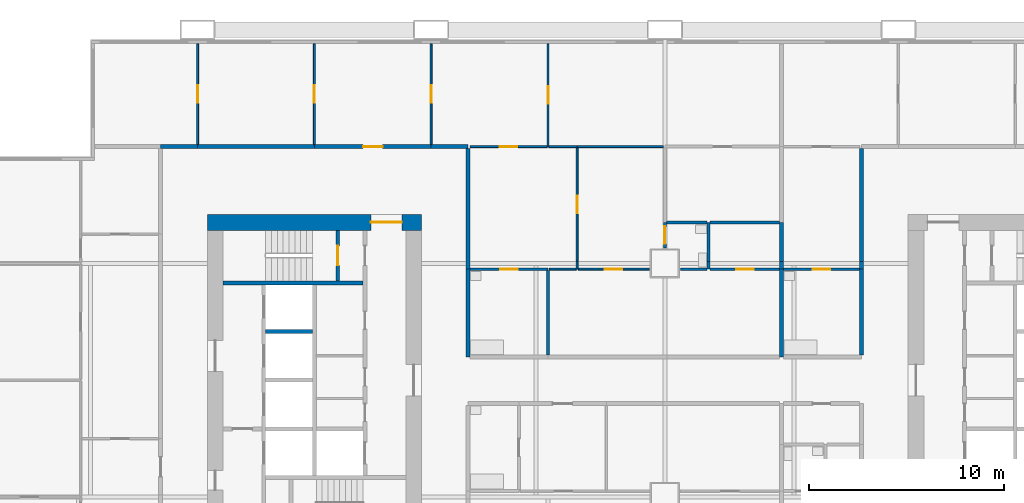
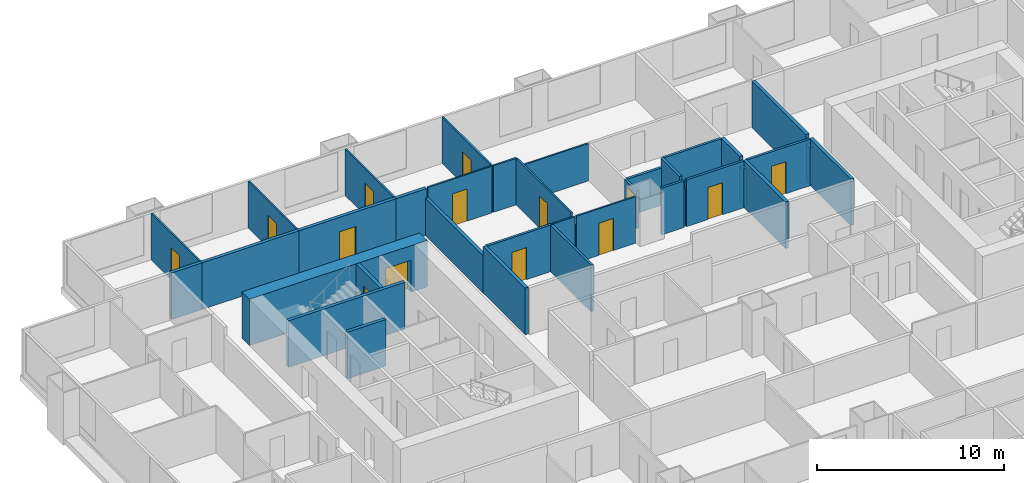
# One storey, part 8 of 13: 37 walls, 14 doors, 14 openings.
"""IFC4 building model written with IfcOpenShell, lengths in metres."""

from ifc_helpers import new_model, si_unit, direction, frame, frame_2d, origin, place, context, subcontext, project, spatial, rectangle, extrude, material, layer, layer_set, type_object, element, fill, save


model = new_model("IFC4")

# Units and contexts
model_context = context("Model", 3, precision=1e-05, world=origin(), true_north=direction((0.0, 1.0)))
body_context = subcontext(model_context, "Body", "Model", "MODEL_VIEW")
ifc_project = project(units=[si_unit("LENGTHUNIT", "METRE"), si_unit("AREAUNIT", "SQUARE_METRE"), si_unit("VOLUMEUNIT", "CUBIC_METRE"), si_unit("PLANEANGLEUNIT", "RADIAN"), si_unit("MASSUNIT", "GRAM", prefix="KILO")], contexts=[model_context])

# Site, building, storey
site_placement = place(None, origin())
site = spatial("IfcSite", under=ifc_project, at=site_placement, CompositionType="ELEMENT")
building_placement = place(site_placement, origin())
building = spatial("IfcBuilding", under=site, at=building_placement, Name="Kitamizu Gate Tower and Museum", CompositionType="ELEMENT")
storey_placement = place(building_placement, frame((0.0, 0.0, 57.60009765625)))
storey = spatial("IfcBuildingStorey", under=building, at=storey_placement, Name="L13", CompositionType="ELEMENT", Elevation=57.60009765625)

# Wall, opening, door
ifc_material_1 = material(Name="Concrete Fc60", Category="concrete")
ifc_layer_1 = layer(ifc_material_1, 0.800048828125)
ifc_layer_set_1 = layer_set([ifc_layer_1], Name="Concrete Fc60")
wall_type_1 = type_object("IfcWallType", Name="Core wall 800", PredefinedType="SHEAR", material=ifc_layer_set_1)
wall_1_placement = place(storey_placement, frame((12.5, 38.10009765625, 0.0), z_axis=(0.0, 0.0, 1.0), x_axis=(1.0, 0.0, 0.0)))
wall_1 = element("IfcWall", 1, at=wall_1_placement, inside=storey, type_object=wall_type_1, Name="Core wall WN", PredefinedType="SHEAR", context=body_context, shape_type="SweptSolid", body=[
    extrude(rectangle(XDim=11.0, YDim=0.800048828125, at=frame_2d((5.5, 0.0))), origin(), (0.0, 0.0, 1.0), 3.0498046875),
])
opening_1_placement = place(wall_1_placement, frame((8.39990234375, 0.0, 0.0)))
opening_1 = element("IfcOpeningElement", 2, at=opening_1_placement, cuts=wall_1, Name="Opening L13-083", PredefinedType="OPENING", context=body_context, shape_type="SweptSolid", body=[
    extrude(rectangle(XDim=1.60009765625, YDim=2.10009765625, at=frame_2d((0.800048828125, 1.050048828125))), frame((0.0, 0.41015625, 0.0), z_axis=(0.0, -1.0, 0.0), x_axis=(1.0, 0.0, 0.0)), (0.0, 0.0, 1.0), 0.820068359375),
])
ifc_material_2 = material(Name="Timber door set", Category="wood")
door_type_1 = type_object("IfcDoorType", Name="Entrance door 1600", OperationType="DOUBLE_DOOR_SINGLE_SWING", PredefinedType="DOOR", material=ifc_material_2)
door_1_placement = place(opening_1_placement, origin())
door_1 = element("IfcDoor", 3, at=door_1_placement, inside=storey, type_object=door_type_1, Name="Lobby door L13-083", OperationType="DOUBLE_DOOR_SINGLE_SWING", OverallHeight=2.10009765625, OverallWidth=1.60009765625, PredefinedType="DOOR", context=body_context, shape_type="SweptSolid", body=[
    extrude(rectangle(XDim=1.60009765625, YDim=2.10009765625, at=frame_2d((0.800048828125, 1.050048828125))), frame((0.0, 0.02490234375, 0.0), z_axis=(0.0, -1.0, 0.0), x_axis=(1.0, 0.0, 0.0)), (0.0, 0.0, 1.0), 0.050048828125),
])
fill(opening_1, door_1)

ifc_material_3 = material(Name="Gypsum board on galvanised stud")
ifc_layer_2 = layer(ifc_material_3, 0.10009765625)
ifc_layer_set_2 = layer_set([ifc_layer_2], Name="Gypsum board on galvanised stud")
wall_type_2 = type_object("IfcWallType", Name="Partition 100 NOT RATED", PredefinedType="PARTITIONING", material=ifc_layer_set_2)
wall_2_placement = place(storey_placement, frame((12.0, 42.10009765625, 0.0), z_axis=(0.0, 0.0, 1.0), x_axis=(0.0, 1.0, 0.0)))
wall_2 = element("IfcWall", 4, at=wall_2_placement, inside=storey, type_object=wall_type_2, Name="Partition L13-119", PredefinedType="PARTITIONING", context=body_context, shape_type="SweptSolid", body=[
    extrude(rectangle(XDim=5.179931640625, YDim=0.10009765625, at=frame_2d((2.58984375, 0.0))), origin(), (0.0, 0.0, 1.0), 3.0498046875),
])
opening_2_placement = place(wall_2_placement, frame((2.139892578125, 0.0, 0.0)))
opening_2 = element("IfcOpeningElement", 5, at=opening_2_placement, cuts=wall_2, Name="Opening L13-046", PredefinedType="OPENING", context=body_context, shape_type="SweptSolid", body=[
    extrude(rectangle(XDim=0.89990234375, YDim=2.10009765625, at=frame_2d((0.449951171875, 1.050048828125))), frame((0.0, 0.06005859375, 0.0), z_axis=(0.0, -1.0, 0.0), x_axis=(1.0, 0.0, 0.0)), (0.0, 0.0, 1.0), 0.1201171875),
])
ifc_material_4 = material(Name="Timber door set", Category="wood")
door_type_2 = type_object("IfcDoorType", Name="Room door 900", OperationType="NOTDEFINED", PredefinedType="DOOR", material=ifc_material_4)
door_2_placement = place(opening_2_placement, origin())
door_2 = element("IfcDoor", 6, at=door_2_placement, inside=storey, type_object=door_type_2, Name="Door L13-046", OperationType="SINGLE_SWING_LEFT", OverallHeight=2.10009765625, OverallWidth=0.89990234375, PredefinedType="DOOR", context=body_context, shape_type="SweptSolid", body=[
    extrude(rectangle(XDim=0.89990234375, YDim=2.10009765625, at=frame_2d((0.449951171875, 1.050048828125))), frame((0.0, 0.02490234375, 0.0), z_axis=(0.0, -1.0, 0.0), x_axis=(1.0, 0.0, 0.0)), (0.0, 0.0, 1.0), 0.050048828125),
])
fill(opening_2, door_2)

wall_3_placement = place(storey_placement, frame((18.0, 42.10009765625, 0.0), z_axis=(0.0, 0.0, 1.0), x_axis=(0.0, 1.0, 0.0)))
wall_3 = element("IfcWall", 7, at=wall_3_placement, inside=storey, type_object=wall_type_2, Name="Partition L13-122", PredefinedType="PARTITIONING", context=body_context, shape_type="SweptSolid", body=[
    extrude(rectangle(XDim=5.179931640625, YDim=0.10009765625, at=frame_2d((2.58984375, 0.0))), origin(), (0.0, 0.0, 1.0), 3.0498046875),
])
opening_3_placement = place(wall_3_placement, frame((2.139892578125, 0.0, 0.0)))
opening_3 = element("IfcOpeningElement", 8, at=opening_3_placement, cuts=wall_3, Name="Opening L13-044", PredefinedType="OPENING", context=body_context, shape_type="SweptSolid", body=[
    extrude(rectangle(XDim=0.89990234375, YDim=2.10009765625, at=frame_2d((0.449951171875, 1.050048828125))), frame((0.0, 0.06005859375, 0.0), z_axis=(0.0, -1.0, 0.0), x_axis=(1.0, 0.0, 0.0)), (0.0, 0.0, 1.0), 0.1201171875),
])
door_3_placement = place(opening_3_placement, origin())
door_3 = element("IfcDoor", 9, at=door_3_placement, inside=storey, type_object=door_type_2, Name="Door L13-044", OperationType="SINGLE_SWING_LEFT", OverallHeight=2.10009765625, OverallWidth=0.89990234375, PredefinedType="DOOR", context=body_context, shape_type="SweptSolid", body=[
    extrude(rectangle(XDim=0.89990234375, YDim=2.10009765625, at=frame_2d((0.449951171875, 1.050048828125))), frame((0.0, 0.02490234375, 0.0), z_axis=(0.0, -1.0, 0.0), x_axis=(1.0, 0.0, 0.0)), (0.0, 0.0, 1.0), 0.050048828125),
])
fill(opening_3, door_3)

wall_4_placement = place(storey_placement, frame((24.0, 42.10009765625, 0.0), z_axis=(0.0, 0.0, 1.0), x_axis=(0.0, 1.0, 0.0)))
wall_4 = element("IfcWall", 10, at=wall_4_placement, inside=storey, type_object=wall_type_2, Name="Partition L13-124", PredefinedType="PARTITIONING", context=body_context, shape_type="SweptSolid", body=[
    extrude(rectangle(XDim=5.179931640625, YDim=0.10009765625, at=frame_2d((2.58984375, 0.0))), origin(), (0.0, 0.0, 1.0), 3.0498046875),
])
opening_4_placement = place(wall_4_placement, frame((2.139892578125, 0.0, 0.0)))
opening_4 = element("IfcOpeningElement", 11, at=opening_4_placement, cuts=wall_4, Name="Opening L13-045", PredefinedType="OPENING", context=body_context, shape_type="SweptSolid", body=[
    extrude(rectangle(XDim=0.89990234375, YDim=2.10009765625, at=frame_2d((0.449951171875, 1.050048828125))), frame((0.0, 0.06005859375, 0.0), z_axis=(0.0, -1.0, 0.0), x_axis=(1.0, 0.0, 0.0)), (0.0, 0.0, 1.0), 0.1201171875),
])
door_4_placement = place(opening_4_placement, frame((0.89990234375, 0.0, 0.0), x_axis=(-1.0, 0.0, 0.0)))
door_4 = element("IfcDoor", 12, at=door_4_placement, inside=storey, type_object=door_type_2, Name="Door L13-045", OperationType="SINGLE_SWING_LEFT", OverallHeight=2.10009765625, OverallWidth=0.89990234375, PredefinedType="DOOR", context=body_context, shape_type="SweptSolid", body=[
    extrude(rectangle(XDim=0.89990234375, YDim=2.10009765625, at=frame_2d((0.449951171875, 1.050048828125))), frame((0.0, 0.02490234375, 0.0), z_axis=(0.0, -1.0, 0.0), x_axis=(1.0, 0.0, 0.0)), (0.0, 0.0, 1.0), 0.050048828125),
])
fill(opening_4, door_4)

wall_5_placement = place(storey_placement, frame((30.0, 42.0, 0.0), z_axis=(0.0, 0.0, 1.0), x_axis=(0.0, 1.0, 0.0)))
wall_5 = element("IfcWall", 13, at=wall_5_placement, inside=storey, type_object=wall_type_2, Name="Partition L13-126", PredefinedType="PARTITIONING", context=body_context, shape_type="SweptSolid", body=[
    extrude(rectangle(XDim=5.280029296875, YDim=0.10009765625, at=frame_2d((2.64013671875, 0.0))), origin(), (0.0, 0.0, 1.0), 3.0498046875),
])
opening_5_placement = place(wall_5_placement, frame((2.18994140625, 0.0, 0.0)))
opening_5 = element("IfcOpeningElement", 14, at=opening_5_placement, cuts=wall_5, Name="Opening L13-047", PredefinedType="OPENING", context=body_context, shape_type="SweptSolid", body=[
    extrude(rectangle(XDim=0.89990234375, YDim=2.10009765625, at=frame_2d((0.449951171875, 1.050048828125))), frame((0.0, 0.06005859375, 0.0), z_axis=(0.0, -1.0, 0.0), x_axis=(1.0, 0.0, 0.0)), (0.0, 0.0, 1.0), 0.1201171875),
])
door_5_placement = place(opening_5_placement, origin())
door_5 = element("IfcDoor", 15, at=door_5_placement, inside=storey, type_object=door_type_2, Name="Door L13-047", OperationType="SINGLE_SWING_RIGHT", OverallHeight=2.10009765625, OverallWidth=0.89990234375, PredefinedType="DOOR", context=body_context, shape_type="SweptSolid", body=[
    extrude(rectangle(XDim=0.89990234375, YDim=2.10009765625, at=frame_2d((0.449951171875, 1.050048828125))), frame((0.0, 0.02490234375, 0.0), z_axis=(0.0, -1.0, 0.0), x_axis=(1.0, 0.0, 0.0)), (0.0, 0.0, 1.0), 0.050048828125),
])
fill(opening_5, door_5)

wall_6_placement = place(storey_placement, frame((26.0, 42.0, 0.0), z_axis=(0.0, 0.0, 1.0), x_axis=(1.0, 0.0, 0.0)))
wall_6 = element("IfcWall", 16, at=wall_6_placement, inside=storey, type_object=wall_type_2, Name="Partition L13-127", PredefinedType="PARTITIONING", context=body_context, shape_type="SweptSolid", body=[
    extrude(rectangle(XDim=3.949951171875, YDim=0.10009765625, at=frame_2d((1.97509765625, 0.0))), origin(), (0.0, 0.0, 1.0), 3.0498046875),
])
opening_6_placement = place(wall_6_placement, frame((1.52490234375, 0.0, 0.0)))
opening_6 = element("IfcOpeningElement", 17, at=opening_6_placement, cuts=wall_6, Name="Opening L13-048", PredefinedType="OPENING", context=body_context, shape_type="SweptSolid", body=[
    extrude(rectangle(XDim=0.89990234375, YDim=2.10009765625, at=frame_2d((0.449951171875, 1.050048828125))), frame((0.0, 0.06005859375, 0.0), z_axis=(0.0, -1.0, 0.0), x_axis=(1.0, 0.0, 0.0)), (0.0, 0.0, 1.0), 0.1201171875),
])
door_6_placement = place(opening_6_placement, origin())
door_6 = element("IfcDoor", 18, at=door_6_placement, inside=storey, type_object=door_type_2, Name="Door L13-048", OperationType="SINGLE_SWING_LEFT", OverallHeight=2.10009765625, OverallWidth=0.89990234375, PredefinedType="DOOR", context=body_context, shape_type="SweptSolid", body=[
    extrude(rectangle(XDim=0.89990234375, YDim=2.10009765625, at=frame_2d((0.449951171875, 1.050048828125))), frame((0.0, 0.02490234375, 0.0), z_axis=(0.0, -1.0, 0.0), x_axis=(1.0, 0.0, 0.0)), (0.0, 0.0, 1.0), 0.050048828125),
])
fill(opening_6, door_6)

# Walls
wall_7_placement = place(storey_placement, frame((30.050048828125, 42.0, 0.0), z_axis=(0.0, 0.0, 1.0), x_axis=(1.0, 0.0, 0.0)))
element("IfcWall", 19, at=wall_7_placement, inside=storey, type_object=wall_type_2, Name="Partition L13-129", PredefinedType="PARTITIONING", context=body_context, shape_type="SweptSolid", body=[
    extrude(rectangle(XDim=1.449951171875, YDim=0.10009765625, at=frame_2d((0.72509765625, 0.0))), origin(), (0.0, 0.0, 1.0), 3.0498046875),
])
wall_8_placement = place(storey_placement, frame((31.5, 42.0, 0.0), z_axis=(0.0, 0.0, 1.0), x_axis=(1.0, 0.0, 0.0)))
element("IfcWall", 20, at=wall_8_placement, inside=storey, type_object=wall_type_2, Name="Partition L13-130", PredefinedType="PARTITIONING", context=body_context, shape_type="SweptSolid", body=[
    extrude(rectangle(XDim=4.425048828125, YDim=0.10009765625, at=frame_2d((2.21240234375, 0.0))), origin(), (0.0, 0.0, 1.0), 2.449951171875),
])
wall_9_placement = place(storey_placement, frame((31.5, 35.699951171875, 0.0), z_axis=(0.0, 0.0, 1.0), x_axis=(0.0, 1.0, 0.0)))
element("IfcWall", 21, at=wall_9_placement, inside=storey, type_object=wall_type_2, Name="Partition L13-133", PredefinedType="PARTITIONING", context=body_context, shape_type="SweptSolid", body=[
    extrude(rectangle(XDim=0.400146484375, YDim=0.10009765625, at=frame_2d((0.2001953125, 0.0))), origin(), (0.0, 0.0, 1.0), 2.449951171875),
])

# Wall, opening, door
wall_10_placement = place(storey_placement, frame((31.5, 36.10009765625, 0.0), z_axis=(0.0, 0.0, 1.0), x_axis=(0.0, 1.0, 0.0)))
wall_10 = element("IfcWall", 22, at=wall_10_placement, inside=storey, type_object=wall_type_2, Name="Partition L13-134", PredefinedType="PARTITIONING", context=body_context, shape_type="SweptSolid", body=[
    extrude(rectangle(XDim=5.849853515625, YDim=0.10009765625, at=frame_2d((2.9248046875, 0.0))), origin(), (0.0, 0.0, 1.0), 3.0498046875),
])
opening_7_placement = place(wall_10_placement, frame((2.47509765625, 0.0, 0.0)))
opening_7 = element("IfcOpeningElement", 23, at=opening_7_placement, cuts=wall_10, Name="Opening L13-049", PredefinedType="OPENING", context=body_context, shape_type="SweptSolid", body=[
    extrude(rectangle(XDim=0.89990234375, YDim=2.10009765625, at=frame_2d((0.449951171875, 1.050048828125))), frame((0.0, 0.06005859375, 0.0), z_axis=(0.0, -1.0, 0.0), x_axis=(1.0, 0.0, 0.0)), (0.0, 0.0, 1.0), 0.1201171875),
])
door_7_placement = place(opening_7_placement, frame((0.89990234375, 0.0, 0.0), x_axis=(-1.0, 0.0, 0.0)))
door_7 = element("IfcDoor", 24, at=door_7_placement, inside=storey, type_object=door_type_2, Name="Door L13-049", OperationType="SINGLE_SWING_LEFT", OverallHeight=2.10009765625, OverallWidth=0.89990234375, PredefinedType="DOOR", context=body_context, shape_type="SweptSolid", body=[
    extrude(rectangle(XDim=0.89990234375, YDim=2.10009765625, at=frame_2d((0.449951171875, 1.050048828125))), frame((0.0, 0.02490234375, 0.0), z_axis=(0.0, -1.0, 0.0), x_axis=(1.0, 0.0, 0.0)), (0.0, 0.0, 1.0), 0.050048828125),
])
fill(opening_7, door_7)

# Wall
wall_11_placement = place(storey_placement, frame((30.074951171875, 35.699951171875, 0.0), z_axis=(0.0, 0.0, 1.0), x_axis=(1.0, 0.0, 0.0)))
element("IfcWall", 25, at=wall_11_placement, inside=storey, type_object=wall_type_2, Name="Partition L13-136", PredefinedType="PARTITIONING", context=body_context, shape_type="SweptSolid", body=[
    extrude(rectangle(XDim=1.375, YDim=0.10009765625, at=frame_2d((0.6875, 0.0))), origin(), (0.0, 0.0, 1.0), 3.0498046875),
])

# Wall, opening, door
wall_12_placement = place(storey_placement, frame((31.550048828125, 35.699951171875, 0.0), z_axis=(0.0, 0.0, 1.0), x_axis=(1.0, 0.0, 0.0)))
wall_12 = element("IfcWall", 26, at=wall_12_placement, inside=storey, type_object=wall_type_2, Name="Partition L13-140", PredefinedType="PARTITIONING", context=body_context, shape_type="SweptSolid", body=[
    extrude(rectangle(XDim=3.64990234375, YDim=0.10009765625, at=frame_2d((1.824951171875, 0.0))), origin(), (0.0, 0.0, 1.0), 3.0498046875),
])
opening_8_placement = place(wall_12_placement, frame((1.375, 0.0, 0.0)))
opening_8 = element("IfcOpeningElement", 27, at=opening_8_placement, cuts=wall_12, Name="Opening L13-053", PredefinedType="OPENING", context=body_context, shape_type="SweptSolid", body=[
    extrude(rectangle(XDim=0.89990234375, YDim=2.10009765625, at=frame_2d((0.449951171875, 1.050048828125))), frame((0.0, 0.06005859375, 0.0), z_axis=(0.0, -1.0, 0.0), x_axis=(1.0, 0.0, 0.0)), (0.0, 0.0, 1.0), 0.1201171875),
])
door_8_placement = place(opening_8_placement, origin())
door_8 = element("IfcDoor", 28, at=door_8_placement, inside=storey, type_object=door_type_2, Name="Door L13-053", OperationType="SINGLE_SWING_RIGHT", OverallHeight=2.10009765625, OverallWidth=0.89990234375, PredefinedType="DOOR", context=body_context, shape_type="SweptSolid", body=[
    extrude(rectangle(XDim=0.89990234375, YDim=2.10009765625, at=frame_2d((0.449951171875, 1.050048828125))), frame((0.0, 0.02490234375, 0.0), z_axis=(0.0, -1.0, 0.0), x_axis=(1.0, 0.0, 0.0)), (0.0, 0.0, 1.0), 0.050048828125),
])
fill(opening_8, door_8)

ifc_material_5 = material(Name="Gypsum board on galvanised stud")
ifc_layer_3 = layer(ifc_material_5, 0.14990234375)
ifc_layer_set_3 = layer_set([ifc_layer_3], Name="Gypsum board on galvanised stud")
wall_type_3 = type_object("IfcWallType", Name="Partition 150", PredefinedType="PARTITIONING", material=ifc_layer_set_3)
wall_13_placement = place(storey_placement, frame((26.0, 35.699951171875, 0.0), z_axis=(0.0, 0.0, 1.0), x_axis=(1.0, 0.0, 0.0)))
wall_13 = element("IfcWall", 29, at=wall_13_placement, inside=storey, type_object=wall_type_3, Name="Partition L13-135", PredefinedType="PARTITIONING", context=body_context, shape_type="SweptSolid", body=[
    extrude(rectangle(XDim=4.0, YDim=0.14990234375, at=frame_2d((2.0, 0.0))), origin(), (0.0, 0.0, 1.0), 3.0498046875),
])
opening_9_placement = place(wall_13_placement, frame((1.550048828125, 0.0, 0.0)))
opening_9 = element("IfcOpeningElement", 30, at=opening_9_placement, cuts=wall_13, Name="Opening L13-052", PredefinedType="OPENING", context=body_context, shape_type="SweptSolid", body=[
    extrude(rectangle(XDim=0.89990234375, YDim=2.10009765625, at=frame_2d((0.449951171875, 1.050048828125))), frame((0.0, 0.0849609375, 0.0), z_axis=(0.0, -1.0, 0.0), x_axis=(1.0, 0.0, 0.0)), (0.0, 0.0, 1.0), 0.169921875),
])
ifc_material_6 = material(Name="Timber door set", Category="wood")
door_type_3 = type_object("IfcDoorType", Name="Bathroom door 900", OperationType="NOTDEFINED", PredefinedType="DOOR", material=ifc_material_6)
door_9_placement = place(opening_9_placement, frame((0.89990234375, 0.0, 0.0), x_axis=(-1.0, 0.0, 0.0)))
door_9 = element("IfcDoor", 31, at=door_9_placement, inside=storey, type_object=door_type_3, Name="Bathroom door L13-052", OperationType="SINGLE_SWING_RIGHT", OverallHeight=2.10009765625, OverallWidth=0.89990234375, PredefinedType="DOOR", context=body_context, shape_type="SweptSolid", body=[
    extrude(rectangle(XDim=0.89990234375, YDim=2.10009765625, at=frame_2d((0.449951171875, 1.050048828125))), frame((0.0, 0.02490234375, 0.0), z_axis=(0.0, -1.0, 0.0), x_axis=(1.0, 0.0, 0.0)), (0.0, 0.0, 1.0), 0.050048828125),
])
fill(opening_9, door_9)

wall_14_placement = place(storey_placement, frame((36.0, 36.800048828125, 0.0), z_axis=(0.0, 0.0, 1.0), x_axis=(0.0, 1.0, 0.0)))
wall_14 = element("IfcWall", 32, at=wall_14_placement, inside=storey, type_object=wall_type_3, Name="Partition L13-138", PredefinedType="PARTITIONING", context=body_context, shape_type="SweptSolid", body=[
    extrude(rectangle(XDim=1.300048828125, YDim=0.14990234375, at=frame_2d((0.64990234375, 0.0))), origin(), (0.0, 0.0, 1.0), 2.449951171875),
])
opening_10_placement = place(wall_14_placement, frame((0.199951171875, 0.0, 0.0)))
opening_10 = element("IfcOpeningElement", 33, at=opening_10_placement, cuts=wall_14, Name="Opening L13-050", PredefinedType="OPENING", context=body_context, shape_type="SweptSolid", body=[
    extrude(rectangle(XDim=0.89990234375, YDim=2.10009765625, at=frame_2d((0.449951171875, 1.050048828125))), frame((0.0, 0.0849609375, 0.0), z_axis=(0.0, -1.0, 0.0), x_axis=(1.0, 0.0, 0.0)), (0.0, 0.0, 1.0), 0.169921875),
])
door_10_placement = place(opening_10_placement, frame((0.89990234375, 0.0, 0.0), x_axis=(-1.0, 0.0, 0.0)))
door_10 = element("IfcDoor", 34, at=door_10_placement, inside=storey, type_object=door_type_3, Name="Bathroom door L13-050", OperationType="SINGLE_SWING_RIGHT", OverallHeight=2.10009765625, OverallWidth=0.89990234375, PredefinedType="DOOR", context=body_context, shape_type="SweptSolid", body=[
    extrude(rectangle(XDim=0.89990234375, YDim=2.10009765625, at=frame_2d((0.449951171875, 1.050048828125))), frame((0.0, 0.02490234375, 0.0), z_axis=(0.0, -1.0, 0.0), x_axis=(1.0, 0.0, 0.0)), (0.0, 0.0, 1.0), 0.050048828125),
])
fill(opening_10, door_10)

# Walls
wall_15_placement = place(storey_placement, frame((38.25, 35.699951171875, 0.0), z_axis=(0.0, 0.0, 1.0), x_axis=(0.0, 1.0, 0.0)))
element("IfcWall", 35, at=wall_15_placement, inside=storey, type_object=wall_type_3, Name="Partition L13-141", PredefinedType="PARTITIONING", context=body_context, shape_type="SweptSolid", body=[
    extrude(rectangle(XDim=0.400146484375, YDim=0.14990234375, at=frame_2d((0.2001953125, 0.0))), origin(), (0.0, 0.0, 1.0), 2.449951171875),
])
wall_16_placement = place(storey_placement, frame((38.25, 36.10009765625, 0.0), z_axis=(0.0, 0.0, 1.0), x_axis=(0.0, 1.0, 0.0)))
element("IfcWall", 36, at=wall_16_placement, inside=storey, type_object=wall_type_3, Name="Partition L13-142", PredefinedType="PARTITIONING", context=body_context, shape_type="SweptSolid", body=[
    extrude(rectangle(XDim=2.0, YDim=0.14990234375, at=frame_2d((1.0, 0.0))), origin(), (0.0, 0.0, 1.0), 3.0498046875),
])
wall_17_placement = place(storey_placement, frame((38.175048828125, 38.10009765625, 0.0), z_axis=(0.0, 0.0, 1.0), x_axis=(-1.0, 0.0, 0.0)))
element("IfcWall", 37, at=wall_17_placement, inside=storey, type_object=wall_type_3, Name="Partition L13-143", PredefinedType="PARTITIONING", context=body_context, shape_type="SweptSolid", body=[
    extrude(rectangle(XDim=2.10009765625, YDim=0.14990234375, at=frame_2d((1.050048828125, 0.0))), origin(), (0.0, 0.0, 1.0), 2.449951171875),
])
wall_18_placement = place(storey_placement, frame((36.800048828125, 35.699951171875, 0.0), z_axis=(0.0, 0.0, 1.0), x_axis=(1.0, 0.0, 0.0)))
element("IfcWall", 38, at=wall_18_placement, inside=storey, type_object=wall_type_3, Name="Partition L13-144", PredefinedType="PARTITIONING", context=body_context, shape_type="SweptSolid", body=[
    extrude(rectangle(XDim=1.375, YDim=0.14990234375, at=frame_2d((0.6875, 0.0))), origin(), (0.0, 0.0, 1.0), 3.0498046875),
])
wall_19_placement = place(storey_placement, frame((41.89990234375, 38.10009765625, 0.0), z_axis=(0.0, 0.0, 1.0), x_axis=(-1.0, 0.0, 0.0)))
element("IfcWall", 39, at=wall_19_placement, inside=storey, type_object=wall_type_3, Name="Partition L13-145", PredefinedType="PARTITIONING", context=body_context, shape_type="SweptSolid", body=[
    extrude(rectangle(XDim=3.574951171875, YDim=0.14990234375, at=frame_2d((1.78759765625, 0.0))), origin(), (0.0, 0.0, 1.0), 3.0498046875),
])

# Wall, opening, door
wall_20_placement = place(storey_placement, frame((38.324951171875, 35.699951171875, 0.0), z_axis=(0.0, 0.0, 1.0), x_axis=(1.0, 0.0, 0.0)))
wall_20 = element("IfcWall", 40, at=wall_20_placement, inside=storey, type_object=wall_type_3, Name="Partition L13-146", PredefinedType="PARTITIONING", context=body_context, shape_type="SweptSolid", body=[
    extrude(rectangle(XDim=3.574951171875, YDim=0.14990234375, at=frame_2d((1.78759765625, 0.0))), origin(), (0.0, 0.0, 1.0), 3.0498046875),
])
opening_11_placement = place(wall_20_placement, frame((1.33740234375, 0.0, 0.0)))
opening_11 = element("IfcOpeningElement", 41, at=opening_11_placement, cuts=wall_20, Name="Opening L13-054", PredefinedType="OPENING", context=body_context, shape_type="SweptSolid", body=[
    extrude(rectangle(XDim=0.89990234375, YDim=2.10009765625, at=frame_2d((0.449951171875, 1.050048828125))), frame((0.0, 0.0849609375, 0.0), z_axis=(0.0, -1.0, 0.0), x_axis=(1.0, 0.0, 0.0)), (0.0, 0.0, 1.0), 0.169921875),
])
door_11_placement = place(opening_11_placement, origin())
door_11 = element("IfcDoor", 42, at=door_11_placement, inside=storey, type_object=door_type_3, Name="Bathroom door L13-054", OperationType="SINGLE_SWING_LEFT", OverallHeight=2.10009765625, OverallWidth=0.89990234375, PredefinedType="DOOR", context=body_context, shape_type="SweptSolid", body=[
    extrude(rectangle(XDim=0.89990234375, YDim=2.10009765625, at=frame_2d((0.449951171875, 1.050048828125))), frame((0.0, 0.02490234375, 0.0), z_axis=(0.0, -1.0, 0.0), x_axis=(1.0, 0.0, 0.0)), (0.0, 0.0, 1.0), 0.050048828125),
])
fill(opening_11, door_11)

# Wall
wall_21_placement = place(storey_placement, frame((30.0, 31.300048828125, 0.0), z_axis=(0.0, 0.0, 1.0), x_axis=(0.0, 1.0, 0.0)))
element("IfcWall", 43, at=wall_21_placement, inside=storey, type_object=wall_type_3, Name="Partition L13-150", PredefinedType="PARTITIONING", context=body_context, shape_type="SweptSolid", body=[
    extrude(rectangle(XDim=4.324951171875, YDim=0.14990234375, at=frame_2d((2.16259765625, 0.0))), origin(), (0.0, 0.0, 1.0), 3.0498046875),
])

# Wall, opening, door
wall_22_placement = place(storey_placement, frame((42.10009765625, 35.699951171875, 0.0), z_axis=(0.0, 0.0, 1.0), x_axis=(1.0, 0.0, 0.0)))
wall_22 = element("IfcWall", 44, at=wall_22_placement, inside=storey, type_object=wall_type_3, Name="Partition L13-184", PredefinedType="PARTITIONING", context=body_context, shape_type="SweptSolid", body=[
    extrude(rectangle(XDim=3.89990234375, YDim=0.14990234375, at=frame_2d((1.949951171875, 0.0))), origin(), (0.0, 0.0, 1.0), 3.0498046875),
])
opening_12_placement = place(wall_22_placement, frame((1.5, 0.0, 0.0)))
opening_12 = element("IfcOpeningElement", 45, at=opening_12_placement, cuts=wall_22, Name="Opening L13-068", PredefinedType="OPENING", context=body_context, shape_type="SweptSolid", body=[
    extrude(rectangle(XDim=0.89990234375, YDim=2.10009765625, at=frame_2d((0.449951171875, 1.050048828125))), frame((0.0, 0.0849609375, 0.0), z_axis=(0.0, -1.0, 0.0), x_axis=(1.0, 0.0, 0.0)), (0.0, 0.0, 1.0), 0.169921875),
])
door_12_placement = place(opening_12_placement, frame((0.89990234375, 0.0, 0.0), x_axis=(-1.0, 0.0, 0.0)))
door_12 = element("IfcDoor", 46, at=door_12_placement, inside=storey, type_object=door_type_3, Name="Bathroom door L13-068", OperationType="SINGLE_SWING_LEFT", OverallHeight=2.10009765625, OverallWidth=0.89990234375, PredefinedType="DOOR", context=body_context, shape_type="SweptSolid", body=[
    extrude(rectangle(XDim=0.89990234375, YDim=2.10009765625, at=frame_2d((0.449951171875, 1.050048828125))), frame((0.0, 0.02490234375, 0.0), z_axis=(0.0, -1.0, 0.0), x_axis=(1.0, 0.0, 0.0)), (0.0, 0.0, 1.0), 0.050048828125),
])
fill(opening_12, door_12)

# Walls
ifc_material_7 = material(Name="Gypsum board on galvanised stud")
ifc_layer_4 = layer(ifc_material_7, 0.199951171875)
ifc_layer_set_4 = layer_set([ifc_layer_4], Name="Gypsum board on galvanised stud")
wall_type_4 = type_object("IfcWallType", Name="Partition 200", PredefinedType="PARTITIONING", material=ifc_layer_set_4)
wall_23_placement = place(storey_placement, frame((10.10009765625, 42.0, 0.0), z_axis=(0.0, 0.0, 1.0), x_axis=(1.0, 0.0, 0.0)))
element("IfcWall", 47, at=wall_23_placement, inside=storey, type_object=wall_type_4, Name="Partition L13-121", PredefinedType="PARTITIONING", context=body_context, shape_type="SweptSolid", body=[
    extrude(rectangle(XDim=1.89990234375, YDim=0.199951171875, at=frame_2d((0.949951171875, 0.0))), origin(), (0.0, 0.0, 1.0), 3.0498046875),
])
wall_24_placement = place(storey_placement, frame((12.0, 42.0, 0.0), z_axis=(0.0, 0.0, 1.0), x_axis=(1.0, 0.0, 0.0)))
element("IfcWall", 48, at=wall_24_placement, inside=storey, type_object=wall_type_4, Name="Partition L13-123", PredefinedType="PARTITIONING", context=body_context, shape_type="SweptSolid", body=[
    extrude(rectangle(XDim=6.0, YDim=0.199951171875, at=frame_2d((3.0, 0.0))), origin(), (0.0, 0.0, 1.0), 3.0498046875),
])

# Wall, opening, door
wall_25_placement = place(storey_placement, frame((18.0, 42.0, 0.0), z_axis=(0.0, 0.0, 1.0), x_axis=(1.0, 0.0, 0.0)))
wall_25 = element("IfcWall", 49, at=wall_25_placement, inside=storey, type_object=wall_type_4, Name="Partition L13-125", PredefinedType="PARTITIONING", context=body_context, shape_type="SweptSolid", body=[
    extrude(rectangle(XDim=6.0, YDim=0.199951171875, at=frame_2d((3.0, 0.0))), origin(), (0.0, 0.0, 1.0), 3.0498046875),
])
opening_13_placement = place(wall_25_placement, frame((2.5, 0.0, 0.0)))
opening_13 = element("IfcOpeningElement", 50, at=opening_13_placement, cuts=wall_25, Name="Opening L13-043", PredefinedType="OPENING", context=body_context, shape_type="SweptSolid", body=[
    extrude(rectangle(XDim=1.0, YDim=2.10009765625, at=frame_2d((0.5, 1.050048828125))), frame((0.0, 0.10986328125, 0.0), z_axis=(0.0, -1.0, 0.0), x_axis=(1.0, 0.0, 0.0)), (0.0, 0.0, 1.0), 0.219970703125),
])
ifc_material_8 = material(Name="Timber door set", Category="wood")
door_type_4 = type_object("IfcDoorType", Name="Flat entrance door 1000", OperationType="NOTDEFINED", PredefinedType="DOOR", material=ifc_material_8)
door_13_placement = place(opening_13_placement, origin())
door_13 = element("IfcDoor", 51, at=door_13_placement, inside=storey, type_object=door_type_4, Name="Flat entrance door L13-043", OperationType="SINGLE_SWING_RIGHT", OverallHeight=2.10009765625, OverallWidth=1.0, PredefinedType="DOOR", context=body_context, shape_type="SweptSolid", body=[
    extrude(rectangle(XDim=1.0, YDim=2.10009765625, at=frame_2d((0.5, 1.050048828125))), frame((0.0, 0.02490234375, 0.0), z_axis=(0.0, -1.0, 0.0), x_axis=(1.0, 0.0, 0.0)), (0.0, 0.0, 1.0), 0.050048828125),
])
fill(opening_13, door_13)

# Walls
wall_26_placement = place(storey_placement, frame((24.0, 42.0, 0.0), z_axis=(0.0, 0.0, 1.0), x_axis=(1.0, 0.0, 0.0)))
element("IfcWall", 52, at=wall_26_placement, inside=storey, type_object=wall_type_4, Name="Partition L13-128", PredefinedType="PARTITIONING", context=body_context, shape_type="SweptSolid", body=[
    extrude(rectangle(XDim=1.89990234375, YDim=0.199951171875, at=frame_2d((0.949951171875, 0.0))), origin(), (0.0, 0.0, 1.0), 3.0498046875),
])
wall_27_placement = place(storey_placement, frame((25.89990234375, 41.89990234375, 0.0), z_axis=(0.0, 0.0, 1.0), x_axis=(0.0, -1.0, 0.0)))
element("IfcWall", 53, at=wall_27_placement, inside=storey, type_object=wall_type_4, Name="Partition L13-137", PredefinedType="PARTITIONING", context=body_context, shape_type="SweptSolid", body=[
    extrude(rectangle(XDim=6.199951171875, YDim=0.199951171875, at=frame_2d((3.10009765625, 0.0))), origin(), (0.0, 0.0, 1.0), 2.449951171875),
])
wall_28_placement = place(storey_placement, frame((42.0, 35.699951171875, 0.0), z_axis=(0.0, 0.0, 1.0), x_axis=(0.0, 1.0, 0.0)))
element("IfcWall", 54, at=wall_28_placement, inside=storey, type_object=wall_type_4, Name="Partition L13-147", PredefinedType="PARTITIONING", context=body_context, shape_type="SweptSolid", body=[
    extrude(rectangle(XDim=0.400146484375, YDim=0.199951171875, at=frame_2d((0.2001953125, 0.0))), origin(), (0.0, 0.0, 1.0), 2.449951171875),
])
wall_29_placement = place(storey_placement, frame((42.0, 36.10009765625, 0.0), z_axis=(0.0, 0.0, 1.0), x_axis=(0.0, 1.0, 0.0)))
element("IfcWall", 55, at=wall_29_placement, inside=storey, type_object=wall_type_4, Name="Partition L13-148", PredefinedType="PARTITIONING", context=body_context, shape_type="SweptSolid", body=[
    extrude(rectangle(XDim=2.0, YDim=0.199951171875, at=frame_2d((1.0, 0.0))), origin(), (0.0, 0.0, 1.0), 3.0498046875),
])
for number, where, z_axis, x_axis, name in (
    (56, (25.89990234375, 35.699951171875, 0.0), (0.0, 0.0, 1.0), (0.0, -1.0, 0.0), "Partition L13-151"),
    (57, (42.0, 31.199951171875, 0.0), (0.0, 0.0, 1.0), (0.0, 1.0, 0.0), "Partition L13-153"),
):
    element("IfcWall", number, at=place(storey_placement, frame(where, z_axis=z_axis, x_axis=x_axis)), inside=storey, type_object=wall_type_4, Name=name, PredefinedType="PARTITIONING", context=body_context, shape_type="SweptSolid", body=[
        extrude(rectangle(XDim=4.5, YDim=0.199951171875, at=frame_2d((2.25, 0.0))), origin(), (0.0, 0.0, 1.0), 3.0498046875),
    ])
wall_30_placement = place(storey_placement, frame((46.10009765625, 35.699951171875, 0.0), z_axis=(0.0, 0.0, 1.0), x_axis=(0.0, 1.0, 0.0)))
element("IfcWall", 58, at=wall_30_placement, inside=storey, type_object=wall_type_4, Name="Partition L13-185", PredefinedType="PARTITIONING", context=body_context, shape_type="SweptSolid", body=[
    extrude(rectangle(XDim=0.400146484375, YDim=0.199951171875, at=frame_2d((0.2001953125, 0.0))), origin(), (0.0, 0.0, 1.0), 2.449951171875),
])
wall_31_placement = place(storey_placement, frame((46.10009765625, 36.10009765625, 0.0), z_axis=(0.0, 0.0, 1.0), x_axis=(0.0, 1.0, 0.0)))
element("IfcWall", 59, at=wall_31_placement, inside=storey, type_object=wall_type_4, Name="Partition L13-186", PredefinedType="PARTITIONING", context=body_context, shape_type="SweptSolid", body=[
    extrude(rectangle(XDim=5.7998046875, YDim=0.199951171875, at=frame_2d((2.89990234375, 0.0))), origin(), (0.0, 0.0, 1.0), 3.0498046875),
])
wall_32_placement = place(storey_placement, frame((46.10009765625, 31.300048828125, 0.0), z_axis=(0.0, 0.0, 1.0), x_axis=(0.0, 1.0, 0.0)))
element("IfcWall", 60, at=wall_32_placement, inside=storey, type_object=wall_type_4, Name="Partition L13-188", PredefinedType="PARTITIONING", context=body_context, shape_type="SweptSolid", body=[
    extrude(rectangle(XDim=4.39990234375, YDim=0.199951171875, at=frame_2d((2.199951171875, 0.0))), origin(), (0.0, 0.0, 1.0), 3.0498046875),
])
ifc_material_9 = material(Name="Concrete Fc42", Category="concrete")
ifc_layer_5 = layer(ifc_material_9, 0.199951171875)
ifc_layer_set_5 = layer_set([ifc_layer_5], Name="Concrete Fc42")
wall_type_5 = type_object("IfcWallType", Name="Shaft wall 200", PredefinedType="SOLIDWALL", material=ifc_layer_set_5)
wall_33_placement = place(storey_placement, frame((13.300048828125, 35.0, 0.0), z_axis=(0.0, 0.0, 1.0), x_axis=(1.0, 0.0, 0.0)))
element("IfcWall", 61, at=wall_33_placement, inside=storey, type_object=wall_type_5, Name="Shaft wall WNB", PredefinedType="SOLIDWALL", context=body_context, shape_type="SweptSolid", body=[
    extrude(rectangle(XDim=7.199951171875, YDim=0.199951171875, at=frame_2d((3.60009765625, 0.0))), origin(), (0.0, 0.0, 1.0), 3.0498046875),
])

# Wall, opening, door
wall_34_placement = place(storey_placement, frame((19.199951171875, 35.10009765625, 0.0), z_axis=(0.0, 0.0, 1.0), x_axis=(0.0, 1.0, 0.0)))
wall_34 = element("IfcWall", 62, at=wall_34_placement, inside=storey, type_object=wall_type_5, Name="Shaft wall WNZ", PredefinedType="SOLIDWALL", context=body_context, shape_type="SweptSolid", body=[
    extrude(rectangle(XDim=2.599853515625, YDim=0.199951171875, at=frame_2d((1.2998046875, 0.0))), origin(), (0.0, 0.0, 1.0), 3.0498046875),
])
opening_14_placement = place(wall_34_placement, frame((0.800048828125, 0.0, 0.0)))
opening_14 = element("IfcOpeningElement", 63, at=opening_14_placement, cuts=wall_34, Name="Opening L13-079", PredefinedType="OPENING", context=body_context, shape_type="SweptSolid", body=[
    extrude(rectangle(XDim=1.0, YDim=2.10009765625, at=frame_2d((0.5, 1.050048828125))), frame((0.0, 0.10986328125, 0.0), z_axis=(0.0, -1.0, 0.0), x_axis=(1.0, 0.0, 0.0)), (0.0, 0.0, 1.0), 0.219970703125),
])
ifc_material_10 = material(Name="Hollow metal door set")
door_type_5 = type_object("IfcDoorType", Name="Fire door 1000", OperationType="NOTDEFINED", PredefinedType="DOOR", material=ifc_material_10)
door_14_placement = place(opening_14_placement, origin())
door_14 = element("IfcDoor", 64, at=door_14_placement, inside=storey, type_object=door_type_5, Name="Stair door L13-079", OperationType="SINGLE_SWING_LEFT", OverallHeight=2.10009765625, OverallWidth=1.0, PredefinedType="DOOR", context=body_context, shape_type="SweptSolid", body=[
    extrude(rectangle(XDim=1.0, YDim=2.10009765625, at=frame_2d((0.5, 1.050048828125))), frame((0.0, 0.02490234375, 0.0), z_axis=(0.0, -1.0, 0.0), x_axis=(1.0, 0.0, 0.0)), (0.0, 0.0, 1.0), 0.050048828125),
])
fill(opening_14, door_14)

# Wall
wall_35_placement = place(storey_placement, frame((15.5, 32.5, 0.0), z_axis=(0.0, 0.0, 1.0), x_axis=(1.0, 0.0, 0.0)))
element("IfcWall", 65, at=wall_35_placement, inside=storey, type_object=wall_type_5, Name="Shaft wall WDVW2", PredefinedType="SOLIDWALL", context=body_context, shape_type="SweptSolid", body=[
    extrude(rectangle(XDim=2.39990234375, YDim=0.199951171875, at=frame_2d((1.199951171875, 0.0))), origin(), (0.0, 0.0, 1.0), 3.0498046875),
])

save(model, "model.ifc")
